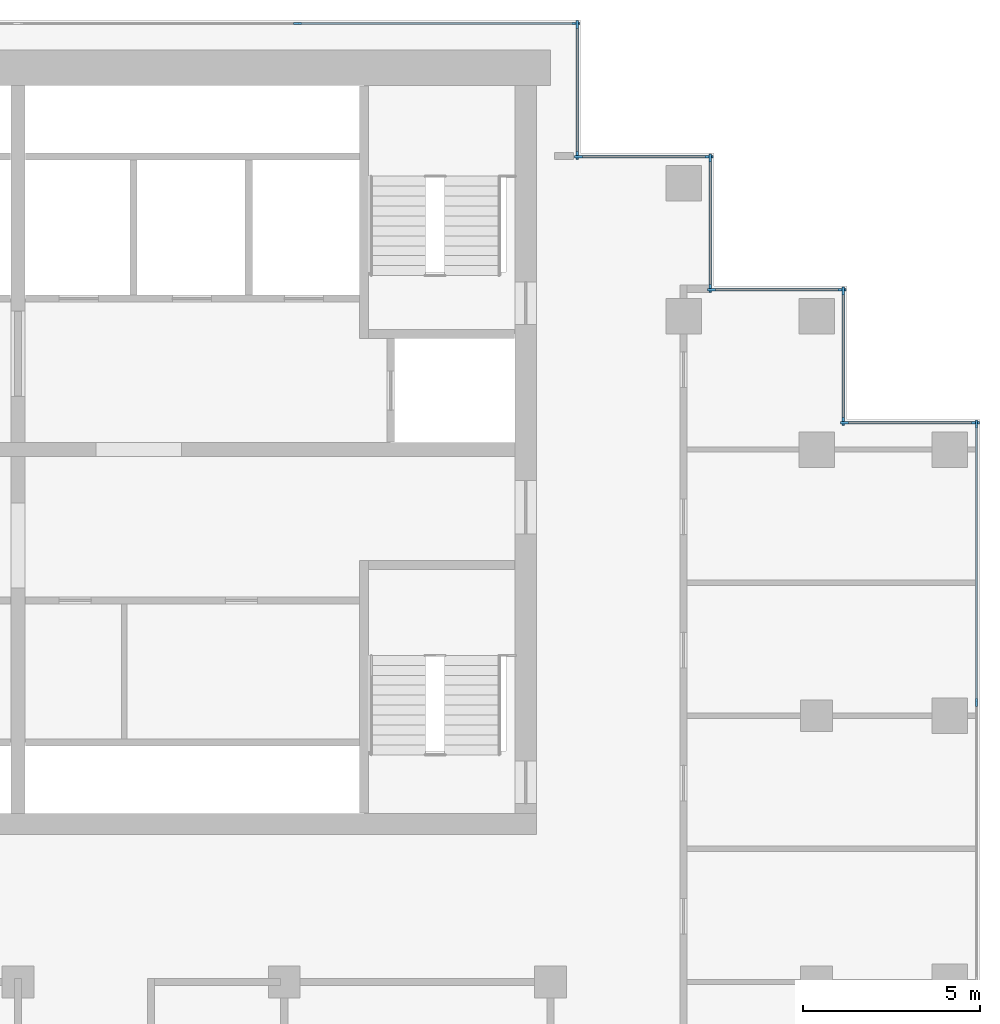
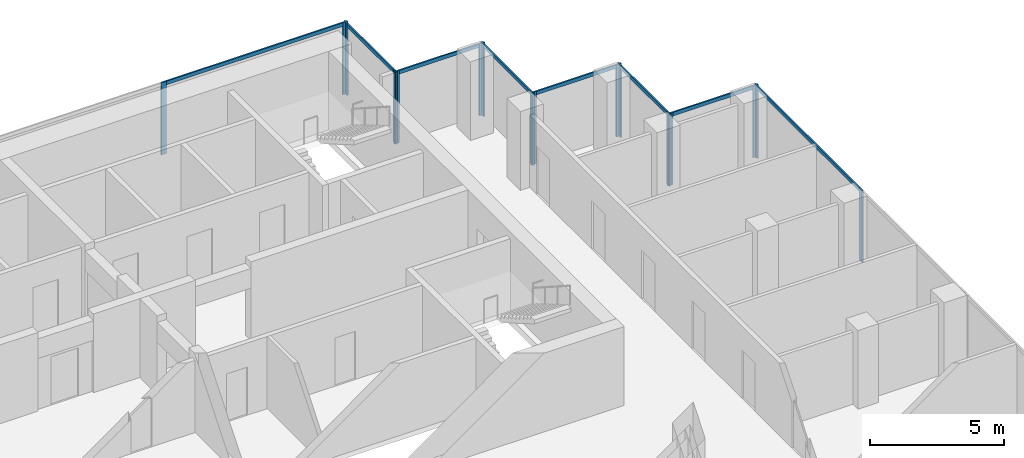
# One storey, part 6 of 12: 24 members, 8 elements without a shape of their own.
"""IFC4 building model written with IfcOpenShell, lengths in metres."""

from ifc_helpers import new_model, si_unit, direction, frame, origin, origin_2d, place, context, subcontext, project, spatial, rectangle, extrude, material, material_profile, profile_set, type_object, element, aggregate, save


model = new_model("IFC4")

# Units and contexts
model_context = context("Model", 3, precision=1e-05, world=origin(), true_north=direction((0.0, 1.0)))
body_context = subcontext(model_context, "Body", "Model", "MODEL_VIEW")
ifc_project = project(units=[si_unit("LENGTHUNIT", "METRE"), si_unit("AREAUNIT", "SQUARE_METRE"), si_unit("VOLUMEUNIT", "CUBIC_METRE"), si_unit("PLANEANGLEUNIT", "RADIAN"), si_unit("MASSUNIT", "GRAM", prefix="KILO")], contexts=[model_context])

# Site, building, storey
site_placement = place(None, origin())
site = spatial("IfcSite", under=ifc_project, at=site_placement, CompositionType="ELEMENT")
building_placement = place(site_placement, origin())
building = spatial("IfcBuilding", under=site, at=building_placement, Name="Pilkhan Gate Tower", CompositionType="ELEMENT")
storey_placement = place(building_placement, frame((0.0, 0.0, 188.699951171875)))
storey = spatial("IfcBuildingStorey", under=building, at=storey_placement, Name="L48", CompositionType="ELEMENT", Elevation=188.699951171875)

# Curtain wall, members
ifc_material_1 = material(Name="Pale anodised aluminium, clear low-iron double glazing", Category="aluminium")
curtain_wall_type = type_object("IfcCurtainWallType", Name="Office unitised curtain wall CW-O2", PredefinedType="USERDEFINED", material=ifc_material_1)
curtain_wall_1_placement = place(storey_placement, origin())
curtain_wall_1 = element("IfcCurtainWall", 1, at=curtain_wall_1_placement, inside=storey, type_object=curtain_wall_type, Name="Office unitised curtain wall CW-O2 L48 E", ObjectType="UNITISED CURTAIN WALL", PredefinedType="USERDEFINED")
ifc_material_2 = material(Name="Pale anodised aluminium", Category="aluminium")
ifc_material_profile_1 = material_profile(ifc_material_2, rectangle(XDim=0.06494140625, YDim=0.22509765625, at=origin_2d()), Name="Mullion 225x65")
ifc_profile_set_1 = profile_set([ifc_material_profile_1], Name="Pale anodised aluminium")
member_type_1 = type_object("IfcMemberType", Name="Mullion CW-O2 225x65", PredefinedType="MULLION", material=ifc_profile_set_1)
member_1_placement = place(storey_placement, frame((102.0, 75.375, 0.0), z_axis=(0.0, 0.0, 1.0), x_axis=(-1.0, 0.0, 0.0)))
member_1 = element("IfcMember", 2, at=member_1_placement, type_object=member_type_1, Name="CW-O2 mullion 2", PredefinedType="MULLION", context=body_context, shape_type="SweptSolid", body=[
    extrude(rectangle(XDim=0.06494140625, YDim=0.22509765625, at=origin_2d()), origin(), (0.0, 0.0, 1.0), 3.300048828125),
])
member_2_placement = place(storey_placement, frame((102.0, 83.217529296875, 0.0), z_axis=(0.0, 0.0, 1.0), x_axis=(-1.0, 0.0, 0.0)))
member_2 = element("IfcMember", 3, at=member_2_placement, type_object=member_type_1, Name="CW-O2 mullion 3", PredefinedType="MULLION", context=body_context, shape_type="SweptSolid", body=[
    extrude(rectangle(XDim=0.06494140625, YDim=0.22509765625, at=origin_2d()), origin(), (0.0, 0.0, 1.0), 3.300048828125),
])

curtain_wall_2_placement = place(storey_placement, origin())
curtain_wall_2 = element("IfcCurtainWall", 4, at=curtain_wall_2_placement, inside=storey, type_object=curtain_wall_type, Name="Office unitised curtain wall CW-O2 L48 N", ObjectType="UNITISED CURTAIN WALL", PredefinedType="USERDEFINED")
member_3_placement = place(storey_placement, frame((98.282470703125, 83.25, 0.0), z_axis=(0.0, 0.0, 1.0), x_axis=(0.0, 1.0, 0.0)))
member_3 = element("IfcMember", 5, at=member_3_placement, type_object=member_type_1, Name="CW-O2 mullion 1", PredefinedType="MULLION", context=body_context, shape_type="SweptSolid", body=[
    extrude(rectangle(XDim=0.06494140625, YDim=0.22509765625, at=origin_2d()), origin(), (0.0, 0.0, 1.0), 3.300048828125),
])
member_4_placement = place(storey_placement, frame((101.967529296875, 83.25, 0.0), z_axis=(0.0, 0.0, 1.0), x_axis=(0.0, 1.0, 0.0)))
member_4 = element("IfcMember", 6, at=member_4_placement, type_object=member_type_1, Name="CW-O2 mullion 2", PredefinedType="MULLION", context=body_context, shape_type="SweptSolid", body=[
    extrude(rectangle(XDim=0.06494140625, YDim=0.22509765625, at=origin_2d()), origin(), (0.0, 0.0, 1.0), 3.300048828125),
])

curtain_wall_3_placement = place(storey_placement, origin())
curtain_wall_3 = element("IfcCurtainWall", 7, at=curtain_wall_3_placement, inside=storey, type_object=curtain_wall_type, Name="Office unitised curtain wall CW-O2 L48 E", ObjectType="UNITISED CURTAIN WALL", PredefinedType="USERDEFINED")
member_5_placement = place(storey_placement, frame((98.25, 83.282470703125, 0.0), z_axis=(0.0, 0.0, 1.0), x_axis=(-1.0, 0.0, 0.0)))
member_5 = element("IfcMember", 8, at=member_5_placement, type_object=member_type_1, Name="CW-O2 mullion 1", PredefinedType="MULLION", context=body_context, shape_type="SweptSolid", body=[
    extrude(rectangle(XDim=0.06494140625, YDim=0.22509765625, at=origin_2d()), origin(), (0.0, 0.0, 1.0), 3.300048828125),
])
member_6_placement = place(storey_placement, frame((98.25, 86.967529296875, 0.0), z_axis=(0.0, 0.0, 1.0), x_axis=(-1.0, 0.0, 0.0)))
member_6 = element("IfcMember", 9, at=member_6_placement, type_object=member_type_1, Name="CW-O2 mullion 2", PredefinedType="MULLION", context=body_context, shape_type="SweptSolid", body=[
    extrude(rectangle(XDim=0.06494140625, YDim=0.22509765625, at=origin_2d()), origin(), (0.0, 0.0, 1.0), 3.300048828125),
])

curtain_wall_4_placement = place(storey_placement, origin())
curtain_wall_4 = element("IfcCurtainWall", 10, at=curtain_wall_4_placement, inside=storey, type_object=curtain_wall_type, Name="Office unitised curtain wall CW-O2 L48 N", ObjectType="UNITISED CURTAIN WALL", PredefinedType="USERDEFINED")
member_7_placement = place(storey_placement, frame((94.532470703125, 87.0, 0.0), z_axis=(0.0, 0.0, 1.0), x_axis=(0.0, 1.0, 0.0)))
member_7 = element("IfcMember", 11, at=member_7_placement, type_object=member_type_1, Name="CW-O2 mullion 1", PredefinedType="MULLION", context=body_context, shape_type="SweptSolid", body=[
    extrude(rectangle(XDim=0.06494140625, YDim=0.22509765625, at=origin_2d()), origin(), (0.0, 0.0, 1.0), 3.300048828125),
])
member_8_placement = place(storey_placement, frame((98.217529296875, 87.0, 0.0), z_axis=(0.0, 0.0, 1.0), x_axis=(0.0, 1.0, 0.0)))
member_8 = element("IfcMember", 12, at=member_8_placement, type_object=member_type_1, Name="CW-O2 mullion 2", PredefinedType="MULLION", context=body_context, shape_type="SweptSolid", body=[
    extrude(rectangle(XDim=0.06494140625, YDim=0.22509765625, at=origin_2d()), origin(), (0.0, 0.0, 1.0), 3.300048828125),
])

curtain_wall_5_placement = place(storey_placement, origin())
curtain_wall_5 = element("IfcCurtainWall", 13, at=curtain_wall_5_placement, inside=storey, type_object=curtain_wall_type, Name="Office unitised curtain wall CW-O2 L48 E", ObjectType="UNITISED CURTAIN WALL", PredefinedType="USERDEFINED")
member_9_placement = place(storey_placement, frame((94.5, 87.032470703125, 0.0), z_axis=(0.0, 0.0, 1.0), x_axis=(-1.0, 0.0, 0.0)))
member_9 = element("IfcMember", 14, at=member_9_placement, type_object=member_type_1, Name="CW-O2 mullion 1", PredefinedType="MULLION", context=body_context, shape_type="SweptSolid", body=[
    extrude(rectangle(XDim=0.06494140625, YDim=0.22509765625, at=origin_2d()), origin(), (0.0, 0.0, 1.0), 3.300048828125),
])
member_10_placement = place(storey_placement, frame((94.5, 90.717529296875, 0.0), z_axis=(0.0, 0.0, 1.0), x_axis=(-1.0, 0.0, 0.0)))
member_10 = element("IfcMember", 15, at=member_10_placement, type_object=member_type_1, Name="CW-O2 mullion 2", PredefinedType="MULLION", context=body_context, shape_type="SweptSolid", body=[
    extrude(rectangle(XDim=0.06494140625, YDim=0.22509765625, at=origin_2d()), origin(), (0.0, 0.0, 1.0), 3.300048828125),
])

curtain_wall_6_placement = place(storey_placement, origin())
curtain_wall_6 = element("IfcCurtainWall", 16, at=curtain_wall_6_placement, inside=storey, type_object=curtain_wall_type, Name="Office unitised curtain wall CW-O2 L48 N", ObjectType="UNITISED CURTAIN WALL", PredefinedType="USERDEFINED")
member_11_placement = place(storey_placement, frame((90.782470703125, 90.75, 0.0), z_axis=(0.0, 0.0, 1.0), x_axis=(0.0, 1.0, 0.0)))
member_11 = element("IfcMember", 17, at=member_11_placement, type_object=member_type_1, Name="CW-O2 mullion 1", PredefinedType="MULLION", context=body_context, shape_type="SweptSolid", body=[
    extrude(rectangle(XDim=0.06494140625, YDim=0.22509765625, at=origin_2d()), origin(), (0.0, 0.0, 1.0), 3.300048828125),
])
member_12_placement = place(storey_placement, frame((94.467529296875, 90.75, 0.0), z_axis=(0.0, 0.0, 1.0), x_axis=(0.0, 1.0, 0.0)))
member_12 = element("IfcMember", 18, at=member_12_placement, type_object=member_type_1, Name="CW-O2 mullion 2", PredefinedType="MULLION", context=body_context, shape_type="SweptSolid", body=[
    extrude(rectangle(XDim=0.06494140625, YDim=0.22509765625, at=origin_2d()), origin(), (0.0, 0.0, 1.0), 3.300048828125),
])

curtain_wall_7_placement = place(storey_placement, origin())
curtain_wall_7 = element("IfcCurtainWall", 19, at=curtain_wall_7_placement, inside=storey, type_object=curtain_wall_type, Name="Office unitised curtain wall CW-O2 L48 E", ObjectType="UNITISED CURTAIN WALL", PredefinedType="USERDEFINED")
member_13_placement = place(storey_placement, frame((90.75, 90.782470703125, 0.0), z_axis=(0.0, 0.0, 1.0), x_axis=(-1.0, 0.0, 0.0)))
member_13 = element("IfcMember", 20, at=member_13_placement, type_object=member_type_1, Name="CW-O2 mullion 1", PredefinedType="MULLION", context=body_context, shape_type="SweptSolid", body=[
    extrude(rectangle(XDim=0.06494140625, YDim=0.22509765625, at=origin_2d()), origin(), (0.0, 0.0, 1.0), 3.300048828125),
])
member_14_placement = place(storey_placement, frame((90.75, 94.467529296875, 0.0), z_axis=(0.0, 0.0, 1.0), x_axis=(-1.0, 0.0, 0.0)))
member_14 = element("IfcMember", 21, at=member_14_placement, type_object=member_type_1, Name="CW-O2 mullion 2", PredefinedType="MULLION", context=body_context, shape_type="SweptSolid", body=[
    extrude(rectangle(XDim=0.06494140625, YDim=0.22509765625, at=origin_2d()), origin(), (0.0, 0.0, 1.0), 3.300048828125),
])

curtain_wall_8_placement = place(storey_placement, origin())
curtain_wall_8 = element("IfcCurtainWall", 22, at=curtain_wall_8_placement, inside=storey, type_object=curtain_wall_type, Name="Office unitised curtain wall CW-O2 L48 N", ObjectType="UNITISED CURTAIN WALL", PredefinedType="USERDEFINED")
member_15_placement = place(storey_placement, frame((82.875, 94.5, 0.0), z_axis=(0.0, 0.0, 1.0), x_axis=(0.0, 1.0, 0.0)))
member_15 = element("IfcMember", 23, at=member_15_placement, type_object=member_type_1, Name="CW-O2 mullion 2", PredefinedType="MULLION", context=body_context, shape_type="SweptSolid", body=[
    extrude(rectangle(XDim=0.06494140625, YDim=0.22509765625, at=origin_2d()), origin(), (0.0, 0.0, 1.0), 3.300048828125),
])
member_16_placement = place(storey_placement, frame((90.717529296875, 94.5, 0.0), z_axis=(0.0, 0.0, 1.0), x_axis=(0.0, 1.0, 0.0)))
member_16 = element("IfcMember", 24, at=member_16_placement, type_object=member_type_1, Name="CW-O2 mullion 3", PredefinedType="MULLION", context=body_context, shape_type="SweptSolid", body=[
    extrude(rectangle(XDim=0.06494140625, YDim=0.22509765625, at=origin_2d()), origin(), (0.0, 0.0, 1.0), 3.300048828125),
])

# Member
ifc_material_profile_2 = material_profile(ifc_material_2, rectangle(XDim=0.06494140625, YDim=0.1650390625, at=origin_2d()), Name="Transom 165x65")
ifc_profile_set_2 = profile_set([ifc_material_profile_2], Name="Pale anodised aluminium")
member_type_2 = type_object("IfcMemberType", Name="Transom CW-O2 165x65", PredefinedType="USERDEFINED", material=ifc_profile_set_2)
member_17_placement = place(storey_placement, frame((102.0, 75.407470703125, 3.217529296875), z_axis=(0.0, 1.0, 0.0), x_axis=(-1.0, 0.0, 0.0)))
member_17 = element("IfcMember", 25, at=member_17_placement, type_object=member_type_2, Name="CW-O2 transom 2", ObjectType="TRANSOM", PredefinedType="USERDEFINED", context=body_context, shape_type="SweptSolid", body=[
    extrude(rectangle(XDim=0.06494140625, YDim=0.1650390625, at=origin_2d()), origin(), (0.0, 0.0, 1.0), 7.777587890625),
])

aggregate(curtain_wall_1, [member_1, member_2, member_17])

member_18_placement = place(storey_placement, frame((98.31494140625, 83.25, 3.217529296875), z_axis=(1.0, 0.0, 0.0), x_axis=(0.0, 1.0, 0.0)))
member_18 = element("IfcMember", 26, at=member_18_placement, type_object=member_type_2, Name="CW-O2 transom 1", ObjectType="TRANSOM", PredefinedType="USERDEFINED", context=body_context, shape_type="SweptSolid", body=[
    extrude(rectangle(XDim=0.06494140625, YDim=0.1650390625, at=origin_2d()), origin(), (0.0, 0.0, 1.0), 3.6201171875),
])

aggregate(curtain_wall_2, [member_3, member_4, member_18])

member_19_placement = place(storey_placement, frame((98.25, 83.31494140625, 3.217529296875), z_axis=(0.0, 1.0, 0.0), x_axis=(-1.0, 0.0, 0.0)))
member_19 = element("IfcMember", 27, at=member_19_placement, type_object=member_type_2, Name="CW-O2 transom 1", ObjectType="TRANSOM", PredefinedType="USERDEFINED", context=body_context, shape_type="SweptSolid", body=[
    extrude(rectangle(XDim=0.06494140625, YDim=0.1650390625, at=origin_2d()), origin(), (0.0, 0.0, 1.0), 3.6201171875),
])

aggregate(curtain_wall_3, [member_5, member_6, member_19])

member_20_placement = place(storey_placement, frame((94.56494140625, 87.0, 3.217529296875), z_axis=(1.0, 0.0, 0.0), x_axis=(0.0, 1.0, 0.0)))
member_20 = element("IfcMember", 28, at=member_20_placement, type_object=member_type_2, Name="CW-O2 transom 1", ObjectType="TRANSOM", PredefinedType="USERDEFINED", context=body_context, shape_type="SweptSolid", body=[
    extrude(rectangle(XDim=0.06494140625, YDim=0.1650390625, at=origin_2d()), origin(), (0.0, 0.0, 1.0), 3.6201171875),
])

aggregate(curtain_wall_4, [member_7, member_8, member_20])

member_21_placement = place(storey_placement, frame((94.5, 87.06494140625, 3.217529296875), z_axis=(0.0, 1.0, 0.0), x_axis=(-1.0, 0.0, 0.0)))
member_21 = element("IfcMember", 29, at=member_21_placement, type_object=member_type_2, Name="CW-O2 transom 1", ObjectType="TRANSOM", PredefinedType="USERDEFINED", context=body_context, shape_type="SweptSolid", body=[
    extrude(rectangle(XDim=0.06494140625, YDim=0.1650390625, at=origin_2d()), origin(), (0.0, 0.0, 1.0), 3.6201171875),
])

aggregate(curtain_wall_5, [member_9, member_10, member_21])

member_22_placement = place(storey_placement, frame((90.81494140625, 90.75, 3.217529296875), z_axis=(1.0, 0.0, 0.0), x_axis=(0.0, 1.0, 0.0)))
member_22 = element("IfcMember", 30, at=member_22_placement, type_object=member_type_2, Name="CW-O2 transom 1", ObjectType="TRANSOM", PredefinedType="USERDEFINED", context=body_context, shape_type="SweptSolid", body=[
    extrude(rectangle(XDim=0.06494140625, YDim=0.1650390625, at=origin_2d()), origin(), (0.0, 0.0, 1.0), 3.6201171875),
])

aggregate(curtain_wall_6, [member_11, member_12, member_22])

member_23_placement = place(storey_placement, frame((90.75, 90.81494140625, 3.217529296875), z_axis=(0.0, 1.0, 0.0), x_axis=(-1.0, 0.0, 0.0)))
member_23 = element("IfcMember", 31, at=member_23_placement, type_object=member_type_2, Name="CW-O2 transom 1", ObjectType="TRANSOM", PredefinedType="USERDEFINED", context=body_context, shape_type="SweptSolid", body=[
    extrude(rectangle(XDim=0.06494140625, YDim=0.1650390625, at=origin_2d()), origin(), (0.0, 0.0, 1.0), 3.6201171875),
])

aggregate(curtain_wall_7, [member_13, member_14, member_23])

member_24_placement = place(storey_placement, frame((82.907470703125, 94.5, 3.217529296875), z_axis=(1.0, 0.0, 0.0), x_axis=(0.0, 1.0, 0.0)))
member_24 = element("IfcMember", 32, at=member_24_placement, type_object=member_type_2, Name="CW-O2 transom 2", ObjectType="TRANSOM", PredefinedType="USERDEFINED", context=body_context, shape_type="SweptSolid", body=[
    extrude(rectangle(XDim=0.06494140625, YDim=0.1650390625, at=origin_2d()), origin(), (0.0, 0.0, 1.0), 7.777587890625),
])

aggregate(curtain_wall_8, [member_15, member_16, member_24])

save(model, "model.ifc")
